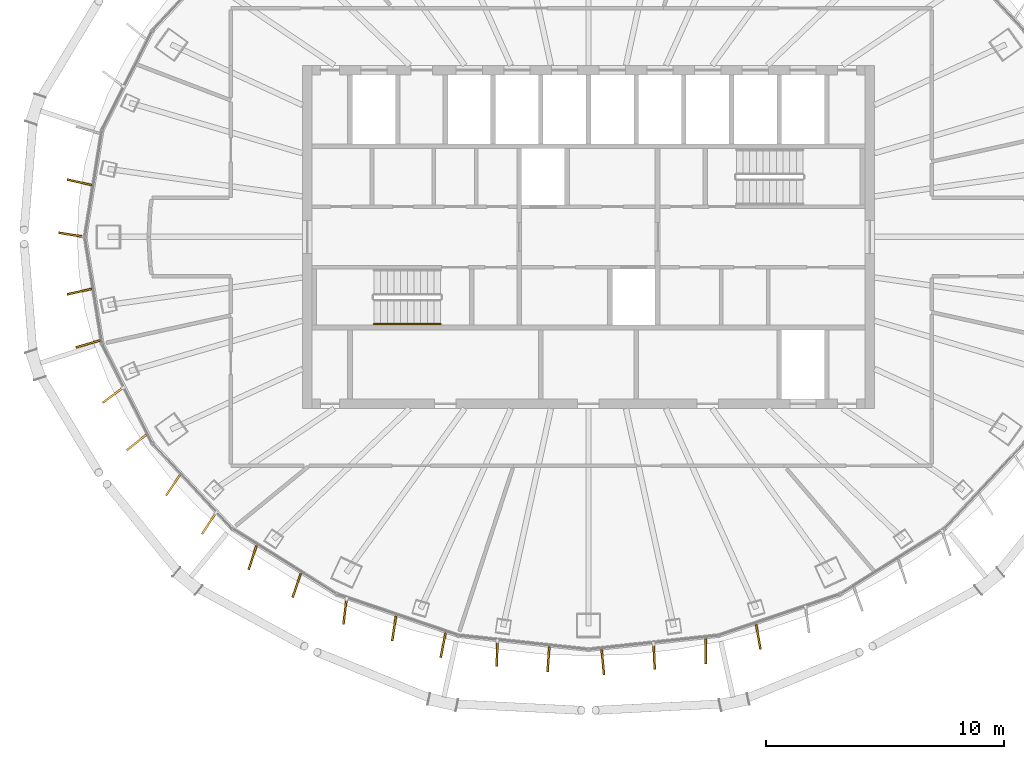
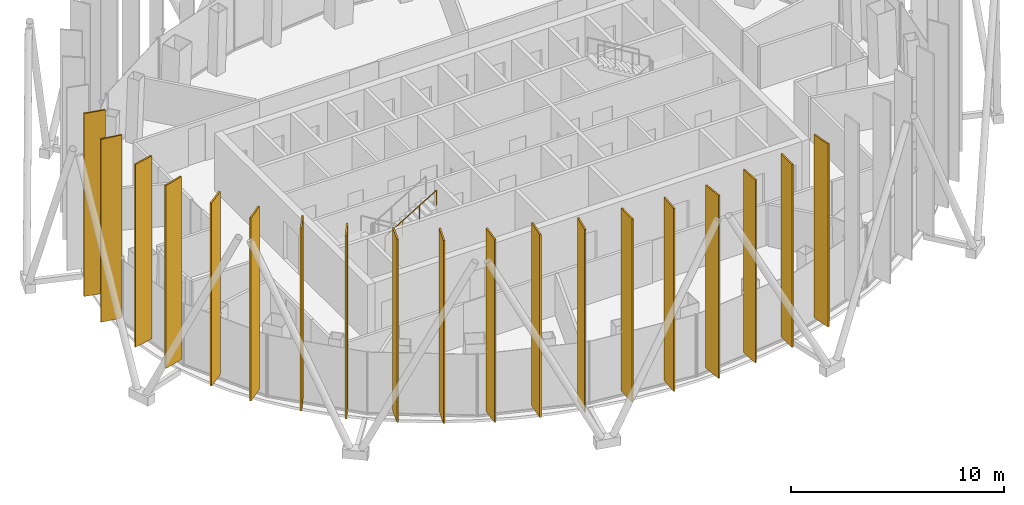
# One storey, part 16 of 19: 19 shading devices, 1 railing.
"""IFC4 building model written with IfcOpenShell, lengths in metres."""

from ifc_helpers import new_model, si_unit, direction, frame, origin, origin_2d, place, context, subcontext, project, spatial, rectangle, circle, extrude, material, layer, layer_set, type_object, element, save


model = new_model("IFC4")

# Units and contexts
model_context = context("Model", 3, precision=1e-05, world=origin(), true_north=direction((0.0, 1.0)))
body_context = subcontext(model_context, "Body", "Model", "MODEL_VIEW")
ifc_project = project(units=[si_unit("LENGTHUNIT", "METRE"), si_unit("AREAUNIT", "SQUARE_METRE"), si_unit("VOLUMEUNIT", "CUBIC_METRE"), si_unit("PLANEANGLEUNIT", "RADIAN"), si_unit("MASSUNIT", "GRAM", prefix="KILO")], contexts=[model_context])

# Site, building, storey
site_placement = place(None, origin())
site = spatial("IfcSite", under=ifc_project, at=site_placement, CompositionType="ELEMENT")
building_placement = place(site_placement, origin())
building = spatial("IfcBuilding", under=site, at=building_placement, Name="Siaravel Broadcast Tower", CompositionType="ELEMENT")
storey_placement = place(building_placement, frame((0.0, 0.0, 239.300048828125)))
storey = spatial("IfcBuildingStorey", under=building, at=storey_placement, Name="L58", CompositionType="ELEMENT", Elevation=239.300048828125)

# Shading devices
ifc_material_1 = material(Name="Bronze anodised aluminium", Category="aluminium")
ifc_layer = layer(ifc_material_1, 0.080078125)
ifc_layer_set = layer_set([ifc_layer], Name="Bronze anodised aluminium")
shading_device_type = type_object("IfcShadingDeviceType", Name="Bronze fin zone 4", PredefinedType="USERDEFINED", material=ifc_layer_set)
for number, where, z_axis, x_axis, name in (
    (1, (-21.34912109375, 2.291748046875, 0.300048828125), (0.0, 0.0, 1.0), (-0.975768814, 0.21880407, 0.0), "Bronze fin L58-27"),
    (2, (-21.703369140625, 0.093994140625, 0.300048828125), (0.0, 0.0, 1.0), (-0.987329198, 0.158685394, 0.0), "Bronze fin L58-28"),
    (3, (-21.34912109375, -2.291748046875, 0.300048828125), (0.0, 0.0, 1.0), (-0.975768814, -0.21880407, 0.0), "Bronze fin L58-29"),
    (4, (-20.993408203125, -4.4873046875, 0.300048828125), (0.0, 0.0, 1.0), (-0.961614497, -0.274404007, 0.0), "Bronze fin L58-30"),
    (5, (-19.958984375, -6.646728515625, 0.300048828125), (0.0, 0.0, 1.0), (-0.804942473, -0.593352859, 0.0), "Bronze fin L58-31"),
    (6, (-18.956787109375, -8.62060546875, 0.300048828125), (0.0, 0.0, 1.0), (-0.781545516, -0.623848224, 0.0), "Bronze fin L58-32"),
    (7, (-17.42919921875, -10.4189453125, 0.300048828125), (0.0, 0.0, 1.0), (-0.554179219, -0.832397377, 0.0), "Bronze fin L58-33"),
    (8, (-15.923828125, -12.023681640625, 0.300048828125), (0.0, 0.0, 1.0), (-0.543789777, -0.839221471, 0.0), "Bronze fin L58-34"),
    (9, (-14.08935546875, -13.451171875, 0.300048828125), (0.0, 0.0, 1.0), (-0.313331213, -0.949643907, 0.0), "Bronze fin L58-35"),
    (10, (-12.23828125, -14.616455078125, 0.300048828125), (0.0, 0.0, 1.0), (-0.32542623, -0.945567432, 0.0), "Bronze fin L58-36"),
    (11, (-10.213623046875, -15.720458984375, 0.300048828125), (0.0, 0.0, 1.0), (-0.120821222, -0.992674283, 0.0), "Bronze fin L58-37"),
    (12, (-8.153076171875, -16.423095703125, 0.300048828125), (0.0, 0.0, 1.0), (-0.153099671, -0.988210752, 0.0), "Bronze fin L58-38"),
    (13, (-6.09619140625, -17.124267578125, 0.300048828125), (0.0, 0.0, 1.0), (-0.192989506, -0.981200821, 0.0), "Bronze fin L58-39"),
    (14, (-3.835205078125, -17.48779296875, 0.300048828125), (0.0, 0.0, 1.0), (-0.01997571, -0.999800466, 0.0), "Bronze fin L58-40"),
    (15, (-1.6796875, -17.7216796875, 0.300048828125), (0.0, 0.0, 1.0), (-0.069373432, -0.997590761, 0.0), "Bronze fin L58-41"),
    (16, (0.602294921875, -17.83837890625, 0.300048828125), (0.0, 0.0, 1.0), (0.094634788, -0.995512058, 0.0), "Bronze fin L58-42"),
    (17, (2.757080078125, -17.60498046875, 0.300048828125), (0.0, 0.0, 1.0), (0.044341255, -0.999016443, 0.0), "Bronze fin L58-43"),
    (18, (4.91357421875, -17.3701171875, 0.300048828125), (0.0, 0.0, 1.0), (-0.003314374, -0.999994507, 0.0), "Bronze fin L58-44"),
    (19, (7.124267578125, -16.77392578125, 0.300048828125), (0.0, 0.0, 1.0), (0.1722678, -0.985050154, 0.0), "Bronze fin L58-45"),
):
    element("IfcShadingDevice", number, at=place(storey_placement, frame(where, z_axis=z_axis, x_axis=x_axis)), inside=storey, type_object=shading_device_type, Name=name, ObjectType="FIN", PredefinedType="USERDEFINED", context=body_context, shape_type="SweptSolid", body=[
        extrude(rectangle(XDim=1.050048828125, YDim=0.080078125, at=origin_2d()), origin(), (0.0, 0.0, 1.0), 10.5),
    ])

# Railing
ifc_material_2 = material(Name="Stainless steel 316L", Category="steel")
railing_type = type_object("IfcRailingType", Name="Stair handrail 900", PredefinedType="HANDRAIL", material=ifc_material_2)
railing_placement = place(storey_placement, frame((-9.0, -3.64990234375, 2.01806640625)))
element("IfcRailing", 20, at=railing_placement, inside=storey, type_object=railing_type, Name="L58 ST-1 stair handrail 2", PredefinedType="HANDRAIL", context=body_context, shape_type="SweptSolid", body=[
    extrude(circle(Radius=0.02392578125, at=origin_2d()), frame((0.0, 0.0, 0.8759765625), z_axis=(0.857242211, 0.0, 0.514913383), x_axis=(0.0, 1.0, 0.0)), (0.0, 0.0, 1.0), 3.266357421875),
    extrude(circle(Radius=0.02099609375, at=origin_2d()), origin(), (0.0, 0.0, 1.0), 0.851806640625),
    extrude(circle(Radius=0.02099609375, at=origin_2d()), frame((0.933349609375, 0.0, 0.560546875)), (0.0, 0.0, 1.0), 0.851806640625),
    extrude(circle(Radius=0.02099609375, at=origin_2d()), frame((1.86669921875, 0.0, 1.121337890625)), (0.0, 0.0, 1.0), 0.851806640625),
    extrude(circle(Radius=0.02099609375, at=origin_2d()), frame((2.800048828125, 0.0, 1.681884765625)), (0.0, 0.0, 1.0), 0.851806640625),
])

save(model, "model.ifc")
